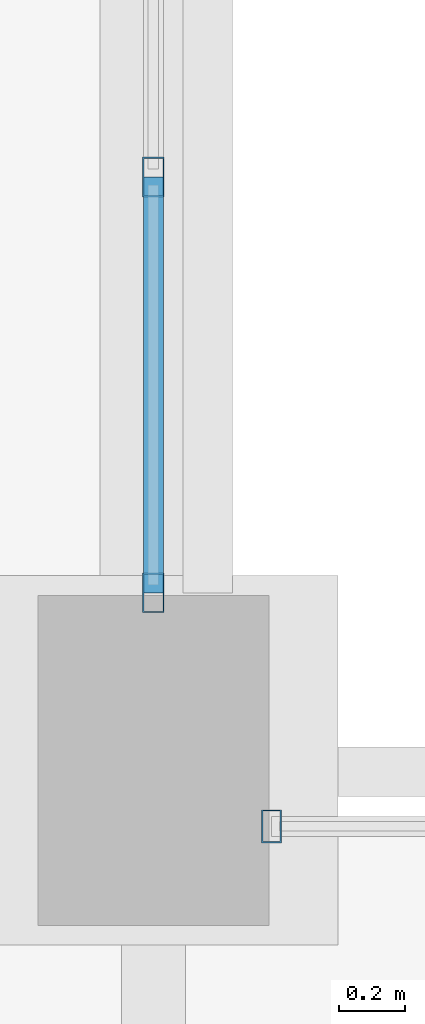
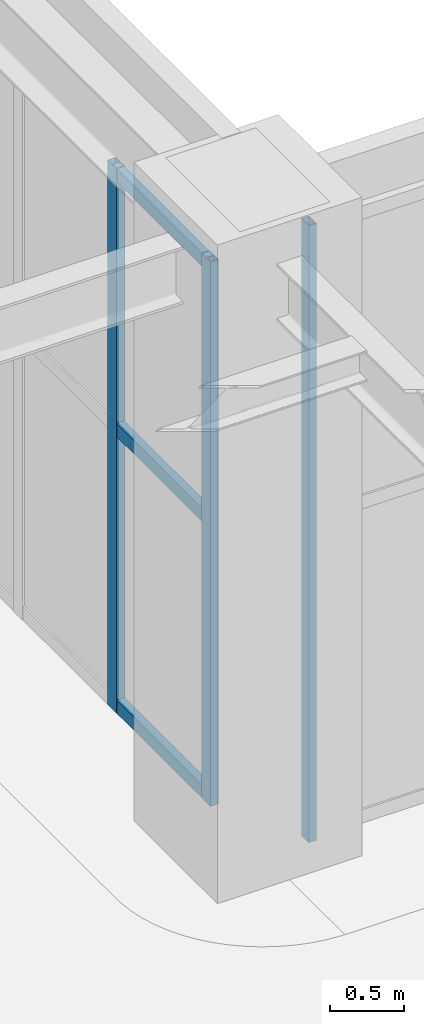
# One storey, part 86 of 164: 6 members, 2 elements without a shape of their own.
"""IFC4 building model written with IfcOpenShell, lengths in metres."""

from ifc_helpers import new_model, si_unit, direction, frame, origin, origin_2d, place, context, subcontext, project, spatial, hollow_rectangle, extrude, material, material_profile, profile_set, type_object, element, aggregate, save


model = new_model("IFC4")

# Units and contexts
model_context = context("Model", 3, precision=1e-05, world=origin(), true_north=direction((0.0, 1.0)))
body_context = subcontext(model_context, "Body", "Model", "MODEL_VIEW")
ifc_project = project(units=[si_unit("LENGTHUNIT", "METRE"), si_unit("AREAUNIT", "SQUARE_METRE"), si_unit("VOLUMEUNIT", "CUBIC_METRE"), si_unit("PLANEANGLEUNIT", "RADIAN"), si_unit("MASSUNIT", "GRAM", prefix="KILO")], contexts=[model_context])

# Site, building, storey
site_placement = place(None, origin())
site = spatial("IfcSite", under=ifc_project, at=site_placement, CompositionType="ELEMENT")
building_placement = place(site_placement, origin())
building = spatial("IfcBuilding", under=site, at=building_placement, Name="Mavantir Sound Aquarium", CompositionType="ELEMENT")
storey_placement = place(building_placement, origin())
storey = spatial("IfcBuildingStorey", under=building, at=storey_placement, Name="L00", CompositionType="ELEMENT", Elevation=0.0)

# Curtain wall, member
ifc_material_1 = material(Name="Anodised Marine Aluminium and Low-E Glass", Category="aluminium")
curtain_wall_type_1 = type_object("IfcCurtainWallType", Name="CW-T15", PredefinedType="USERDEFINED", material=ifc_material_1)
curtain_wall_1_placement = place(storey_placement, origin())
curtain_wall_1 = element("IfcCurtainWall", 1, at=curtain_wall_1_placement, inside=storey, type_object=curtain_wall_type_1, Name="L00 unitised curtain wall CW-15 15", ObjectType="UNITISED GLAZING", PredefinedType="USERDEFINED")
ifc_material_2 = material(Name="Anodised Marine Aluminium 6063-T6", Category="aluminium")
ifc_material_profile_1 = material_profile(ifc_material_2, hollow_rectangle(XDim=0.06005859375, YDim=0.10009765625, WallThickness=0.00390625, at=origin_2d()), Name="ALU-MULLION-100X60")
ifc_profile_set_1 = profile_set([ifc_material_profile_1], Name="Anodised Marine Aluminium 6063-T6")
member_type_1 = type_object("IfcMemberType", Name="CW-MUL-100", PredefinedType="MULLION", material=ifc_profile_set_1)
member_1_placement = place(storey_placement, frame((127.55810546875, 85.60009765625, 0.0), z_axis=(0.0, 0.0, 1.0), x_axis=(1.0, 0.0, 0.0)))
member_1 = element("IfcMember", 2, at=member_1_placement, type_object=member_type_1, Name="CW-L00-015 vertical mullion 7", PredefinedType="MULLION", context=body_context, shape_type="SweptSolid", body=[
    extrude(hollow_rectangle(XDim=0.06005859375, YDim=0.10009765625, WallThickness=0.00390625, at=origin_2d()), origin(), (0.0, 0.0, 1.0), 5.06005859375),
])
aggregate(curtain_wall_1, [member_1])

# Curtain wall, members
curtain_wall_type_2 = type_object("IfcCurtainWallType", Name="CW-T16", PredefinedType="USERDEFINED", material=ifc_material_1)
curtain_wall_2_placement = place(storey_placement, origin())
curtain_wall_2 = element("IfcCurtainWall", 3, at=curtain_wall_2_placement, inside=storey, type_object=curtain_wall_type_2, Name="L00 unitised curtain wall CW-16 16", ObjectType="UNITISED GLAZING", PredefinedType="USERDEFINED")
ifc_material_profile_2 = material_profile(ifc_material_2, hollow_rectangle(XDim=0.06494140625, YDim=0.1201171875, WallThickness=0.00390625, at=origin_2d()), Name="ALU-MULLION-120X65")
ifc_profile_set_2 = profile_set([ifc_material_profile_2], Name="Anodised Marine Aluminium 6063-T6")
member_type_2 = type_object("IfcMemberType", Name="CW-MUL-120", PredefinedType="MULLION", material=ifc_profile_set_2)
member_2_placement = place(storey_placement, frame((127.199951171875, 86.30810546875, 0.0), z_axis=(0.0, 0.0, 1.0), x_axis=(1.0, 0.0, 0.0)))
member_2 = element("IfcMember", 4, at=member_2_placement, type_object=member_type_2, Name="CW-L00-016 vertical mullion 1", PredefinedType="MULLION", context=body_context, shape_type="SweptSolid", body=[
    extrude(hollow_rectangle(XDim=0.06494140625, YDim=0.1201171875, WallThickness=0.00390625, at=origin_2d()), origin(), (0.0, 0.0, 1.0), 4.465087890625),
])
member_3_placement = place(storey_placement, frame((127.199951171875, 87.5693359375, 0.0), z_axis=(0.0, 0.0, 1.0), x_axis=(1.0, 0.0, 0.0)))
member_3 = element("IfcMember", 5, at=member_3_placement, type_object=member_type_2, Name="CW-L00-016 vertical mullion 2", PredefinedType="MULLION", context=body_context, shape_type="SweptSolid", body=[
    extrude(hollow_rectangle(XDim=0.06494140625, YDim=0.1201171875, WallThickness=0.00390625, at=origin_2d()), origin(), (0.0, 0.0, 1.0), 4.465087890625),
])
ifc_material_profile_3 = material_profile(ifc_material_2, hollow_rectangle(XDim=0.06005859375, YDim=0.110107421875, WallThickness=0.00390625, at=origin_2d()), Name="ALU-TRANSOM-110X60")
ifc_profile_set_3 = profile_set([ifc_material_profile_3], Name="Anodised Marine Aluminium 6063-T6")
member_type_3 = type_object("IfcMemberType", Name="CW-TRN-110", PredefinedType="USERDEFINED", material=ifc_profile_set_3)
member_4_placement = place(storey_placement, frame((127.199951171875, 86.30810546875, 0.054931640625), z_axis=(0.0, 1.0, 0.0), x_axis=(-1.0, 0.0, 0.0)))
member_4 = element("IfcMember", 6, at=member_4_placement, type_object=member_type_3, Name="CW-L00-016 transom 1.1", ObjectType="TRANSOM", PredefinedType="USERDEFINED", context=body_context, shape_type="SweptSolid", body=[
    extrude(hollow_rectangle(XDim=0.06005859375, YDim=0.110107421875, WallThickness=0.00390625, at=origin_2d()), origin(), (0.0, 0.0, 1.0), 1.26123046875),
])
member_5_placement = place(storey_placement, frame((127.199951171875, 86.30810546875, 2.32177734375), z_axis=(0.0, 1.0, 0.0), x_axis=(-1.0, 0.0, 0.0)))
member_5 = element("IfcMember", 7, at=member_5_placement, type_object=member_type_3, Name="CW-L00-016 transom 1.2", ObjectType="TRANSOM", PredefinedType="USERDEFINED", context=body_context, shape_type="SweptSolid", body=[
    extrude(hollow_rectangle(XDim=0.06005859375, YDim=0.110107421875, WallThickness=0.00390625, at=origin_2d()), origin(), (0.0, 0.0, 1.0), 1.26123046875),
])
member_6_placement = place(storey_placement, frame((127.199951171875, 86.30810546875, 4.409912109375), z_axis=(0.0, 1.0, 0.0), x_axis=(-1.0, 0.0, 0.0)))
member_6 = element("IfcMember", 8, at=member_6_placement, type_object=member_type_3, Name="CW-L00-016 transom 1.3", ObjectType="TRANSOM", PredefinedType="USERDEFINED", context=body_context, shape_type="SweptSolid", body=[
    extrude(hollow_rectangle(XDim=0.06005859375, YDim=0.110107421875, WallThickness=0.00390625, at=origin_2d()), origin(), (0.0, 0.0, 1.0), 1.26123046875),
])
aggregate(curtain_wall_2, [member_2, member_3, member_4, member_5, member_6])

save(model, "model.ifc")
